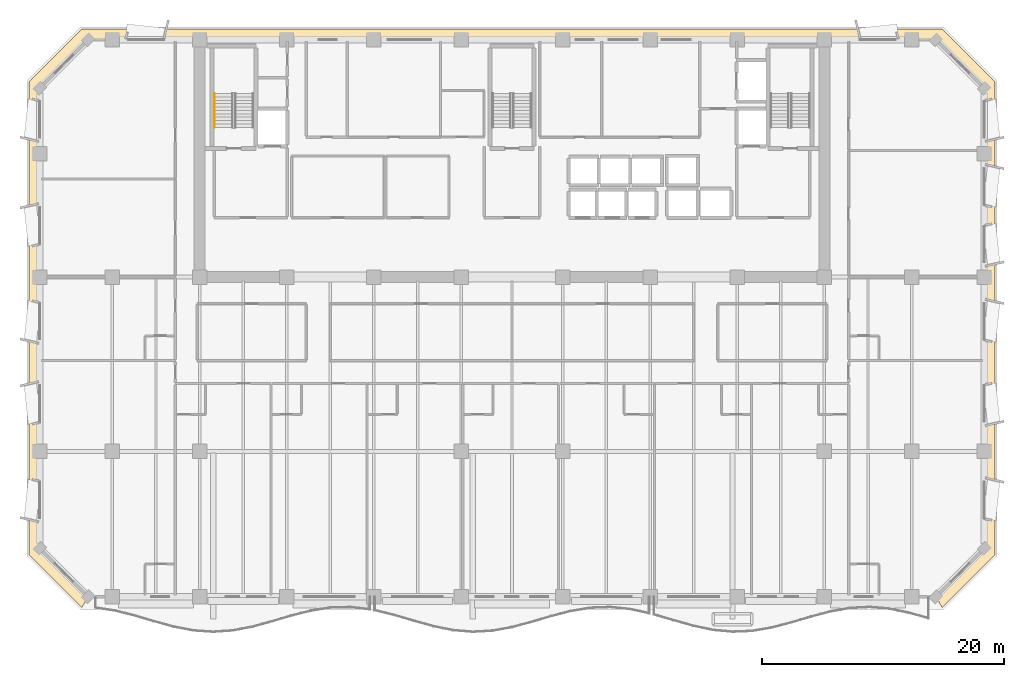
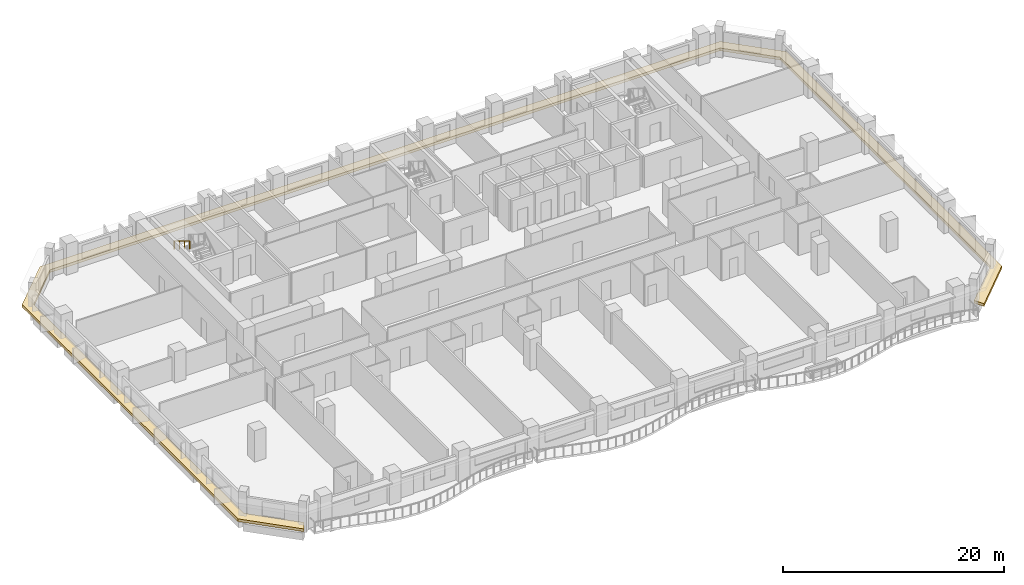
# One storey, part 12 of 15: 1 covering, 1 railing.
"""IFC4 building model written with IfcOpenShell, lengths in metres."""

from ifc_helpers import new_model, si_unit, direction, frame, origin, origin_2d, place, context, subcontext, project, spatial, polyline, rectangle, outline, extrude, material, layer, layer_set, type_object, element, save


model = new_model("IFC4")

# Units and contexts
model_context = context("Model", 3, precision=1e-05, world=origin(), true_north=direction((0.0, 1.0)))
body_context = subcontext(model_context, "Body", "Model", "MODEL_VIEW")
ifc_project = project(units=[si_unit("LENGTHUNIT", "METRE"), si_unit("AREAUNIT", "SQUARE_METRE"), si_unit("VOLUMEUNIT", "CUBIC_METRE"), si_unit("PLANEANGLEUNIT", "RADIAN"), si_unit("MASSUNIT", "GRAM", prefix="KILO")], contexts=[model_context])

# Site, building, storey
site_placement = place(None, origin())
site = spatial("IfcSite", under=ifc_project, at=site_placement, CompositionType="ELEMENT")
building_placement = place(site_placement, origin())
building = spatial("IfcBuilding", under=site, at=building_placement, Name="Kaelvorn Grand Hotel", CompositionType="ELEMENT")
storey_placement = place(building_placement, frame((0.0, 0.0, 180.949951171875)))
storey = spatial("IfcBuildingStorey", under=building, at=storey_placement, Name="L44", CompositionType="ELEMENT", Elevation=180.949951171875)

# Covering
ifc_material_1 = material(Name="Precast concrete C45/55", Category="concrete")
ifc_layer = layer(ifc_material_1, 0.219970703125)
ifc_layer_set = layer_set([ifc_layer], Name="Precast concrete C45/55")
covering_type = type_object("IfcCoveringType", Name="COV-BAND-STREAMLINE-SILL", PredefinedType="CLADDING", material=ifc_layer_set)
covering_placement = place(storey_placement, frame((0.0, 0.0, 0.449951171875)))
element("IfcCovering", 1, at=covering_placement, inside=storey, type_object=covering_type, Name="L44 Streamline Moderne Wraparound Horizontal Sill Spandrel Band", PredefinedType="CLADDING", context=body_context, shape_type="SweptSolid", body=[
    extrude(outline(polyline([(77.515380859375, 2.1201171875), (81.8798828125, 6.484619140625), (81.8798828125, 45.515380859375), (77.515380859375, 49.8798828125), (6.484619140625, 49.8798828125), (2.1201171875, 45.515380859375), (2.1201171875, 6.484619140625), (6.484619140625, 2.1201171875), (7.017578125, 3.030029296875), (3.030029296875, 7.017578125), (3.030029296875, 44.982421875), (7.017578125, 48.969970703125), (76.982421875, 48.969970703125), (80.969970703125, 44.982421875), (80.969970703125, 7.017578125), (76.982421875, 3.030029296875), (77.515380859375, 2.1201171875)])), origin(), (0.0, 0.0, 1.0), 0.300048828125),
])

# Railing
ifc_material_2 = material(Name="Stainless Steel", Category="steel")
railing_type = type_object("IfcRailingType", Name="RL-HANDRAIL-900", PredefinedType="HANDRAIL", material=ifc_material_2)
railing_placement = place(storey_placement, frame((17.449951171875, 44.56005859375, 2.07275390625)))
element("IfcRailing", 2, at=railing_placement, inside=storey, type_object=railing_type, Name="L44 ST1 stair handrail 2", PredefinedType="HANDRAIL", context=body_context, shape_type="SweptSolid", body=[
    extrude(rectangle(XDim=0.048095703125, YDim=0.048095703125, at=origin_2d()), frame((0.0, 0.0, 0.8759765625), z_axis=(0.0, -0.851089632645, 0.525020415988), x_axis=(1.0, 0.0, 0.0)), (0.0, 0.0, 1.0), 3.2900390625),
    extrude(rectangle(XDim=0.0419921875, YDim=0.0419921875, at=origin_2d()), origin(), (0.0, 0.0, 1.0), 0.851806640625),
    extrude(rectangle(XDim=0.0419921875, YDim=0.0419921875, at=origin_2d()), frame((0.0, -0.933349609375, 0.57568359375)), (0.0, 0.0, 1.0), 0.851806640625),
    extrude(rectangle(XDim=0.0419921875, YDim=0.0419921875, at=origin_2d()), frame((0.0, -1.86669921875, 1.151611328125)), (0.0, 0.0, 1.0), 0.851806640625),
    extrude(rectangle(XDim=0.0419921875, YDim=0.0419921875, at=origin_2d()), frame((0.0, -2.800048828125, 1.727294921875)), (0.0, 0.0, 1.0), 0.851806640625),
])

save(model, "model.ifc")
